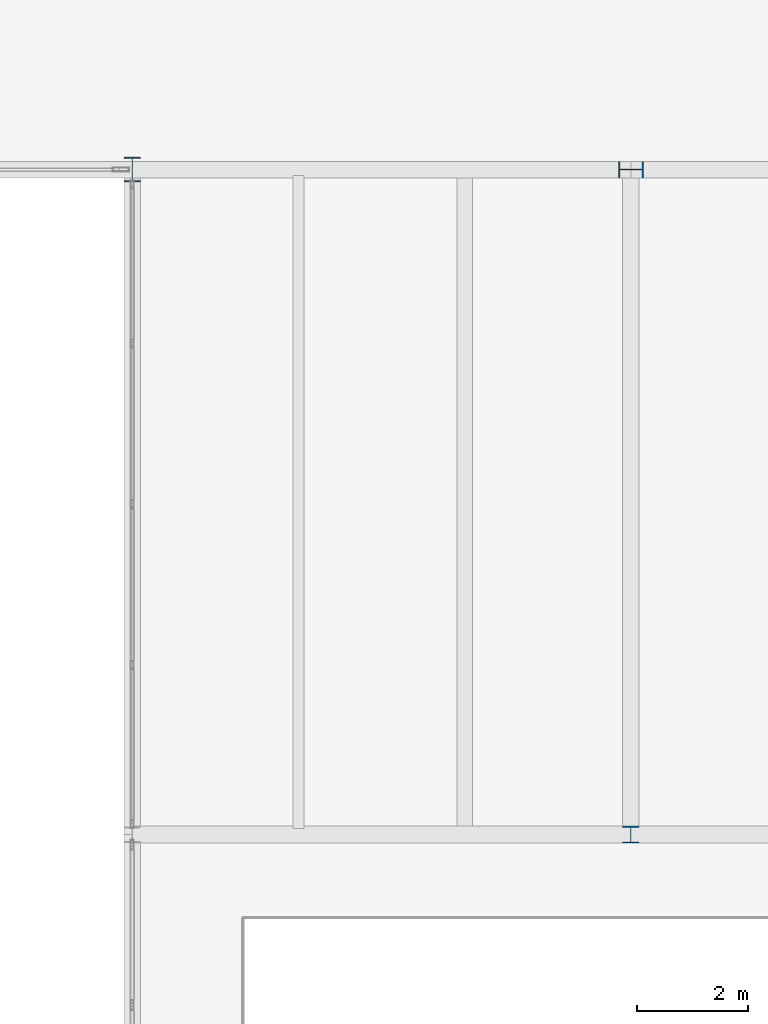
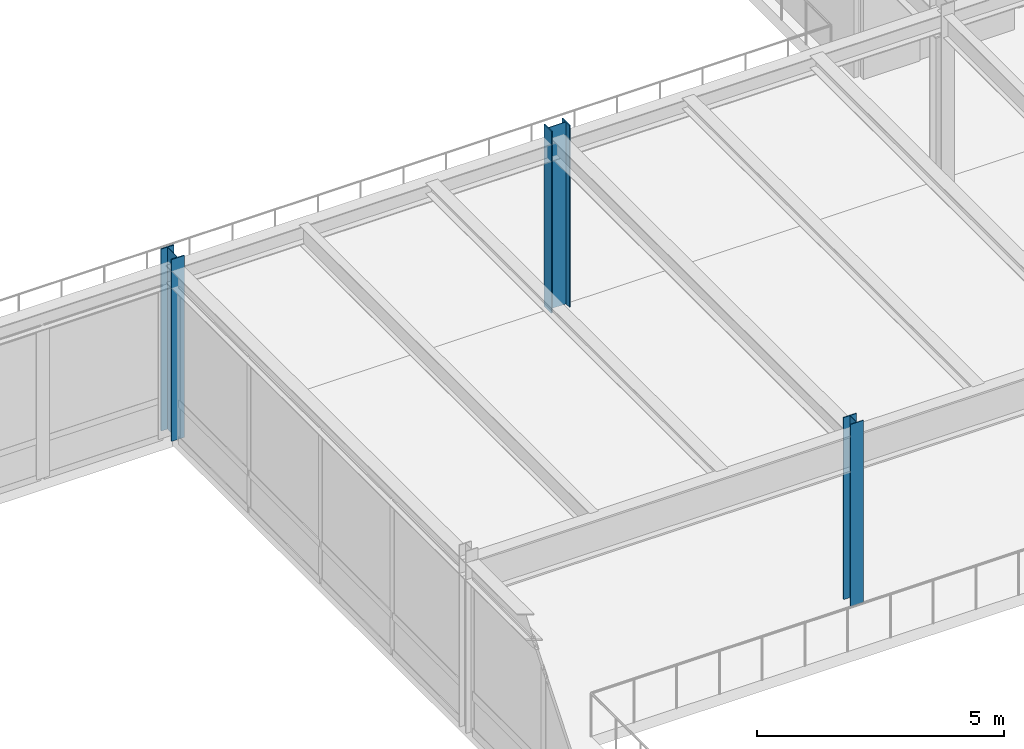
# One storey, part 9 of 127: 3 columns.
"""IFC4 building model written with IfcOpenShell, lengths in metres."""

import ifcopenshell
import ifcopenshell.guid

model = None  # the IFC model being written
_history = None  # IfcOwnerHistory: only IFC2X3 demands one
_inside = {}  # id of a spatial element -> (the spatial element, [elements in it])
_under = {}  # id of a project, library or spatial element -> (it, [spatial elements below it])
_declared = {}  # id of a project -> (the project, [libraries it declares])
_typed = {}  # id of a type object -> (the type object, [elements of that type])
_made_of = {}  # id of a material, layer set ... -> (it, [elements and type objects made of it])


def new_model(schema):
    """Start an empty IFC model of exactly this schema.

    Asked for "IFC4X3", IfcOpenShell would pick the latest addendum, in which some entities
    have other attributes; the version numbers below select the first issue.
    IFC2X3 requires an IfcOwnerHistory on every rooted entity: one is made here for all.
    """
    global model, _history
    if schema == "IFC4X3":
        model = ifcopenshell.file(schema_version=(4, 3, 0, 0))
    else:
        model = ifcopenshell.file(schema=schema)
    _inside.clear()
    _under.clear()
    _declared.clear()
    _typed.clear()
    _made_of.clear()
    _history = None
    if model.schema == "IFC2X3":
        org = make("IfcOrganization", Name="unknown")
        user = make(
            "IfcPersonAndOrganization",
            ThePerson=make("IfcPerson", FamilyName="unknown"),
            TheOrganization=org,
        )
        app = make(
            "IfcApplication",
            ApplicationDeveloper=org,
            Version="unknown",
            ApplicationFullName="unknown",
            ApplicationIdentifier="unknown",
        )
        _history = make(
            "IfcOwnerHistory",
            OwningUser=user,
            OwningApplication=app,
            ChangeAction="ADDED",
            CreationDate=0,
        )
    return model


def make(cls, **values):
    """One entity of the class cls with the attributes given. An attribute that is None is left unset."""
    return model.create_entity(
        cls, **{name: value for name, value in values.items() if value is not None}
    )


def rooted(cls, **values):
    """An entity with a GlobalId (a new one), such as an element, a storey or a relation."""
    return make(cls, GlobalId=ifcopenshell.guid.new(), OwnerHistory=_history, **values)


def si_unit(unit_type, name, prefix=None):
    """IfcSIUnit, for example si_unit("LENGTHUNIT", "METRE", prefix="MILLI")."""
    return make("IfcSIUnit", UnitType=unit_type, Prefix=prefix, Name=name)


def assignment(units):
    """IfcUnitAssignment: the units of a project."""
    return None if units is None else make("IfcUnitAssignment", Units=units)


def point(xyz):
    """IfcCartesianPoint."""
    return None if xyz is None else make("IfcCartesianPoint", Coordinates=xyz)


def direction(xyz):
    """IfcDirection."""
    return None if xyz is None else make("IfcDirection", DirectionRatios=xyz)


def frame(location, z_axis=None, x_axis=None):
    """IfcAxis2Placement3D, a coordinate frame: its origin and axes. An axis left out is left unset."""
    return make(
        "IfcAxis2Placement3D",
        Location=point(location),
        Axis=direction(z_axis),
        RefDirection=direction(x_axis),
    )


def frame_2d(location, x_axis=None):
    """IfcAxis2Placement2D, a coordinate frame in the plane: its origin and x axis."""
    return make(
        "IfcAxis2Placement2D", Location=point(location), RefDirection=direction(x_axis)
    )


def origin():
    """The frame at (0, 0, 0) with its axes left unset."""
    return frame((0.0, 0.0, 0.0))


def origin_2d():
    """The frame at (0, 0) in the plane with its x axis left unset."""
    return frame_2d((0.0, 0.0))


def place(relative_to, where):
    """IfcLocalPlacement: puts the frame where relative to a parent placement (None: the world)."""
    return make(
        "IfcLocalPlacement", PlacementRelTo=relative_to, RelativePlacement=where
    )


def context(
    kind, dimensions, precision=None, world=None, true_north=None, identifier=None
):
    """IfcGeometricRepresentationContext, for example the 3D "Model" context."""
    return make(
        "IfcGeometricRepresentationContext",
        ContextIdentifier=identifier,
        ContextType=kind,
        CoordinateSpaceDimension=dimensions,
        Precision=precision,
        WorldCoordinateSystem=world,
        TrueNorth=true_north,
    )


def subcontext(parent, identifier, kind, view, scale=None):
    """IfcGeometricRepresentationSubContext, for example "Body" below "Model"."""
    return make(
        "IfcGeometricRepresentationSubContext",
        ContextIdentifier=identifier,
        ContextType=kind,
        ParentContext=parent,
        TargetScale=scale,
        TargetView=view,
    )


def project(units=None, contexts=None):
    """IfcProject with its units and contexts."""
    return rooted(
        "IfcProject",
        Name="project",
        RepresentationContexts=contexts,
        UnitsInContext=assignment(units),
    )


def spatial(cls, under=None, at=None, **own):
    """A site, building, storey or space (cls), placed at a placement, below another one or the project."""
    s = rooted(cls, ObjectPlacement=at, **own)
    if under is not None:
        _under.setdefault(under.id(), (under, []))[1].append(s)
    return s


def profile(cls, at=None, kind="AREA", **sizes):
    """A parametric profile (cls). Its sizes go by their IFC names, for example OverallWidth=200.0."""
    return make(cls, ProfileType=kind, Position=at, **sizes)


def i_section(**sizes):
    """IfcIShapeProfileDef."""
    return profile("IfcIShapeProfileDef", **sizes)


def extrude(swept, where, along, depth):
    """IfcExtrudedAreaSolid: the profile swept, set in the frame where, extruded along a direction by depth."""
    return make(
        "IfcExtrudedAreaSolid",
        SweptArea=swept,
        Position=where,
        ExtrudedDirection=direction(along),
        Depth=depth,
    )


def shape(context_of_items, identifier, shape_type, items):
    """IfcShapeRepresentation: the items that make up one representation, for example the "Body"."""
    return make(
        "IfcShapeRepresentation",
        ContextOfItems=context_of_items,
        RepresentationIdentifier=identifier,
        RepresentationType=shape_type,
        Items=items,
    )


def material(Name=None, Category=None):
    """IfcMaterial."""
    return make("IfcMaterial", Name=Name, Category=Category)


def material_profile(
    of_material, cross_section, Name=None, Category=None, Priority=None
):
    """IfcMaterialProfile: a cross section and its material."""
    return make(
        "IfcMaterialProfile",
        Name=Name,
        Material=of_material,
        Profile=cross_section,
        Priority=Priority,
        Category=Category,
    )


def profile_set(profiles, Name=None, composite=None):
    """IfcMaterialProfileSet."""
    return make(
        "IfcMaterialProfileSet",
        Name=Name,
        MaterialProfiles=profiles,
        CompositeProfile=composite,
    )


def made_of(thing, what):
    """Note that an element or type object is made of a material, layer set ...; save() writes the relation."""
    if what is not None:
        _made_of.setdefault(what.id(), (what, []))[1].append(thing)
    return thing


def type_object(cls, material=None, **own):
    """A type object (cls), such as IfcWallType, which elements share."""
    return made_of(rooted(cls, **own), material)


def element(
    cls,
    number,
    at=None,
    inside=None,
    cuts=None,
    type_object=None,
    material=None,
    context=None,
    identifier="Body",
    shape_type=None,
    held_by="IfcProductDefinitionShape",
    body=None,
    shapes=None,
    **own,
):
    """One element of the class cls, such as IfcWall. Its Tag is "e" and its number.

    at: its placement. inside: the storey or other place that contains it. cuts: it is an
    opening in that element (IfcRelVoidsElement). A single representation is given by context,
    identifier, shape_type and body (its items); several are given by shapes. held_by: the class
    of the entity that holds the representations. save() writes the other relations.
    """
    e = rooted(cls, Tag="e%d" % number, ObjectPlacement=at, **own)
    if body is not None:
        shapes = [shape(context, identifier, shape_type, body)]
    if shapes is not None:
        e.Representation = make(held_by, Representations=shapes)
    if inside is not None:
        _inside.setdefault(inside.id(), (inside, []))[1].append(e)
    if cuts is not None:
        rooted(
            "IfcRelVoidsElement", RelatingBuildingElement=cuts, RelatedOpeningElement=e
        )
    if type_object is not None:
        _typed.setdefault(type_object.id(), (type_object, []))[1].append(e)
    return made_of(e, material)


def aggregate(whole, parts):
    """IfcRelAggregates: a whole, such as a stair, and the parts it consists of."""
    return rooted("IfcRelAggregates", RelatingObject=whole, RelatedObjects=parts)


def save(model, path):
    """Write the relations noted so far, then the file.

    IfcRelAggregates (storeys below a building ...), IfcRelContainedInSpatialStructure (elements
    in a storey), IfcRelDefinesByType, IfcRelAssociatesMaterial and IfcRelDeclares: one each for
    every whole, place, type object, material and project.
    """
    for whole, parts in _under.values():
        aggregate(whole, parts)
    for where, things in _inside.values():
        rooted(
            "IfcRelContainedInSpatialStructure",
            RelatedElements=things,
            RelatingStructure=where,
        )
    for kind, things in _typed.values():
        rooted("IfcRelDefinesByType", RelatedObjects=things, RelatingType=kind)
    for what, things in _made_of.values():
        rooted("IfcRelAssociatesMaterial", RelatedObjects=things, RelatingMaterial=what)
    for by, libraries in _declared.values():
        rooted("IfcRelDeclares", RelatingContext=by, RelatedDefinitions=libraries)
    model.write(path)


model = new_model("IFC4")

# Units and contexts
model_context = context("Model", 3, precision=1e-05, world=origin(), true_north=direction((0.0, 1.0)))
body_context = subcontext(model_context, "Body", "Model", "MODEL_VIEW")
ifc_project = project(units=[si_unit("LENGTHUNIT", "METRE"), si_unit("AREAUNIT", "SQUARE_METRE"), si_unit("VOLUMEUNIT", "CUBIC_METRE"), si_unit("PLANEANGLEUNIT", "RADIAN"), si_unit("MASSUNIT", "GRAM", prefix="KILO")], contexts=[model_context])

# Site, building, storey
site_placement = place(None, origin())
site = spatial("IfcSite", under=ifc_project, at=site_placement, CompositionType="ELEMENT")
building_placement = place(site_placement, origin())
building = spatial("IfcBuilding", under=site, at=building_placement, Name="Montelvaro Courts of Justice", CompositionType="ELEMENT")
storey_placement = place(building_placement, frame((0.0, 0.0, 5.39990234375)))
storey = spatial("IfcBuildingStorey", under=building, at=storey_placement, Name="L01", CompositionType="ELEMENT", Elevation=5.39990234375)

# Columns
ifc_material = material(Name="Steel S355", Category="steel")
ifc_material_profile_1 = material_profile(ifc_material, i_section(OverallWidth=0.300048828125, OverallDepth=0.300048828125, WebThickness=0.010986328125, FlangeThickness=0.01904296875, at=origin_2d()), Name="HEB 300")
ifc_profile_set_1 = profile_set([ifc_material_profile_1], Name="Steel S355")
column_type_1 = type_object("IfcColumnType", Name="Col_HEB300", PredefinedType="COLUMN", material=ifc_profile_set_1)
column_placement = place(storey_placement, frame((63.0, 66.0, 0.0), z_axis=(0.0, 0.0, 1.0), x_axis=(1.0, 0.0, 0.0)))
element("IfcColumn", 1, at=column_placement, inside=storey, type_object=column_type_1, Name="Column C-03 L01 8/F", PredefinedType="COLUMN", context=body_context, shape_type="SweptSolid", body=[
    extrude(i_section(OverallWidth=0.300048828125, OverallDepth=0.300048828125, WebThickness=0.010986328125, FlangeThickness=0.01904296875, at=origin_2d()), origin(), (0.0, 0.0, 1.0), 4.5),
])
ifc_material_profile_2 = material_profile(ifc_material, i_section(OverallWidth=0.300048828125, OverallDepth=0.449951171875, WebThickness=0.013916015625, FlangeThickness=0.02587890625, at=origin_2d()), Name="HEB 450")
ifc_profile_set_2 = profile_set([ifc_material_profile_2], Name="Steel S355")
column_type_2 = type_object("IfcColumnType", Name="Col_HEB450", PredefinedType="COLUMN", material=ifc_profile_set_2)
for number, where, z_axis, x_axis, name in (
    (2, (54.0, 78.0, 0.0), (0.0, 0.0, 1.0), (1.0, 0.0, 0.0), "Column C-08 L01 7/G"),
    (3, (63.0, 78.0, 0.0), (0.0, 0.0, 1.0), (0.0, 1.0, 0.0), "Column C-08 L01 8/G"),
):
    element("IfcColumn", number, at=place(storey_placement, frame(where, z_axis=z_axis, x_axis=x_axis)), inside=storey, type_object=column_type_2, Name=name, PredefinedType="COLUMN", context=body_context, shape_type="SweptSolid", body=[
        extrude(i_section(OverallWidth=0.300048828125, OverallDepth=0.449951171875, WebThickness=0.013916015625, FlangeThickness=0.02587890625, at=origin_2d()), origin(), (0.0, 0.0, 1.0), 4.5),
    ])

save(model, "model.ifc")
